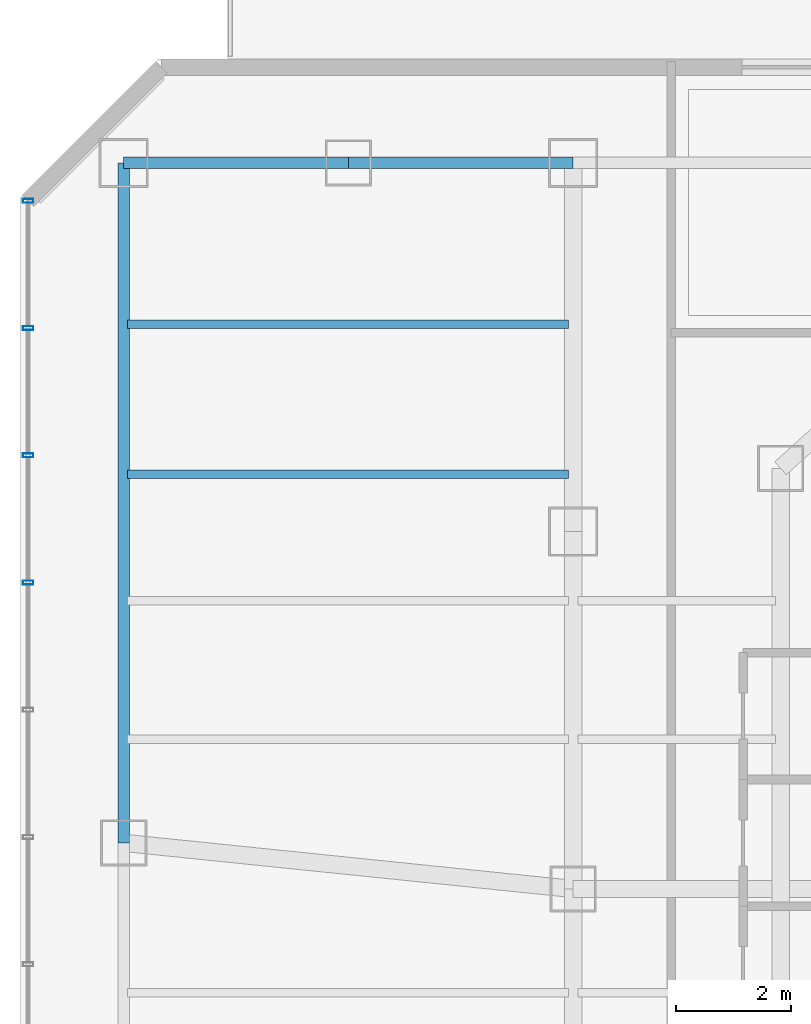
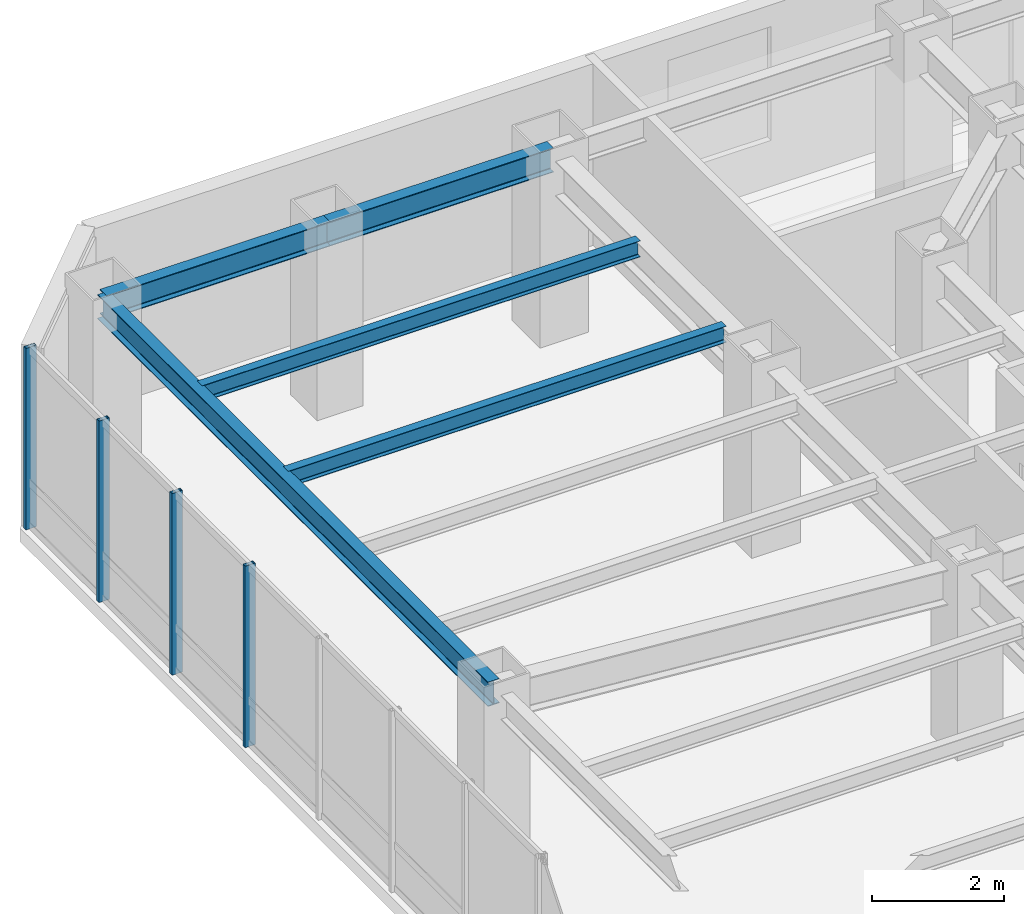
# One storey, part 17 of 26: 5 beams, 4 members, 1 element without a shape of its own.
"""IFC4 building model written with IfcOpenShell, lengths in metres."""

from ifc_helpers import new_model, si_unit, direction, frame, origin, origin_2d, place, context, subcontext, project, spatial, hollow_rectangle, i_section, extrude, material, layer, layer_set, material_profile, profile_set, type_object, element, aggregate, save


model = new_model("IFC4")

# Units and contexts
model_context = context("Model", 3, precision=1e-05, world=origin(), true_north=direction((0.0, 1.0)))
body_context = subcontext(model_context, "Body", "Model", "MODEL_VIEW")
ifc_project = project(units=[si_unit("LENGTHUNIT", "METRE"), si_unit("AREAUNIT", "SQUARE_METRE"), si_unit("VOLUMEUNIT", "CUBIC_METRE"), si_unit("PLANEANGLEUNIT", "RADIAN"), si_unit("MASSUNIT", "GRAM", prefix="KILO")], contexts=[model_context])

# Site, building, storey
site_placement = place(None, origin())
site = spatial("IfcSite", under=ifc_project, at=site_placement, CompositionType="ELEMENT")
building_placement = place(site_placement, origin())
building = spatial("IfcBuilding", under=site, at=building_placement, Name="Hatsunagi Terrace Concourse", CompositionType="ELEMENT")
storey_placement = place(building_placement, frame((0.0, 0.0, 152.85009765625)))
storey = spatial("IfcBuildingStorey", under=building, at=storey_placement, Name="L40", CompositionType="ELEMENT", Elevation=152.85009765625)

# Curtain wall, members
ifc_material_1 = material(Name="Anodised Aluminium Alloy 6063-T5", Category="aluminium")
ifc_layer = layer(ifc_material_1, 0.199951171875)
ifc_layer_set = layer_set([ifc_layer], Name="OfficeZone1_CW03")
curtain_wall_type = type_object("IfcCurtainWallType", Name="OfficeZone1_CW03", PredefinedType="NOTDEFINED", material=ifc_layer_set)
curtain_wall_placement = place(storey_placement, origin())
curtain_wall = element("IfcCurtainWall", 1, at=curtain_wall_placement, inside=storey, type_object=curtain_wall_type, Name="Unitised Curtain Wall CW-03 CW-L40-09", PredefinedType="NOTDEFINED")
ifc_material_2 = material(Name="Anodised Aluminium Alloy 6063-T5", Category="aluminium")
ifc_material_profile_1 = material_profile(ifc_material_2, hollow_rectangle(XDim=0.070068359375, YDim=0.179931640625, WallThickness=0.00390625, at=origin_2d()), Name="ALU-MUL-180x70x4")
ifc_profile_set_1 = profile_set([ifc_material_profile_1], Name="Anodised Aluminium Alloy 6063-T5")
member_type = type_object("IfcMemberType", Name="CurtainWallMullion_180x70", PredefinedType="MULLION", material=ifc_profile_set_1)
member_1_placement = place(storey_placement, frame((9.739990234375, 41.31689453125, 0.0), z_axis=(0.0, 0.0, 1.0), x_axis=(0.0, 1.0, 0.0)))
member_1 = element("IfcMember", 2, at=member_1_placement, type_object=member_type, Name="Curtain Wall Mullion MUL-02", PredefinedType="MULLION", context=body_context, shape_type="SweptSolid", body=[
    extrude(hollow_rectangle(XDim=0.070068359375, YDim=0.179931640625, WallThickness=0.00390625, at=origin_2d()), origin(), (0.0, 0.0, 1.0), 3.349853515625),
])
member_2_placement = place(storey_placement, frame((9.739990234375, 43.52490234375, 0.0), z_axis=(0.0, 0.0, 1.0), x_axis=(0.0, 1.0, 0.0)))
member_2 = element("IfcMember", 3, at=member_2_placement, type_object=member_type, Name="Curtain Wall Mullion MUL-02", PredefinedType="MULLION", context=body_context, shape_type="SweptSolid", body=[
    extrude(hollow_rectangle(XDim=0.070068359375, YDim=0.179931640625, WallThickness=0.00390625, at=origin_2d()), origin(), (0.0, 0.0, 1.0), 3.349853515625),
])
member_3_placement = place(storey_placement, frame((9.739990234375, 45.73388671875, 0.0), z_axis=(0.0, 0.0, 1.0), x_axis=(0.0, 1.0, 0.0)))
member_3 = element("IfcMember", 4, at=member_3_placement, type_object=member_type, Name="Curtain Wall Mullion MUL-02", PredefinedType="MULLION", context=body_context, shape_type="SweptSolid", body=[
    extrude(hollow_rectangle(XDim=0.070068359375, YDim=0.179931640625, WallThickness=0.00390625, at=origin_2d()), origin(), (0.0, 0.0, 1.0), 3.349853515625),
])
member_4_placement = place(storey_placement, frame((9.739990234375, 47.94189453125, 0.0), z_axis=(0.0, 0.0, 1.0), x_axis=(0.0, 1.0, 0.0)))
member_4 = element("IfcMember", 5, at=member_4_placement, type_object=member_type, Name="Curtain Wall Mullion MUL-02", PredefinedType="MULLION", context=body_context, shape_type="SweptSolid", body=[
    extrude(hollow_rectangle(XDim=0.070068359375, YDim=0.179931640625, WallThickness=0.00390625, at=origin_2d()), origin(), (0.0, 0.0, 1.0), 3.349853515625),
])
aggregate(curtain_wall, [member_1, member_2, member_3, member_4])

# Beams
ifc_material_3 = material(Name="Steel SN490B", Category="steel")
ifc_material_profile_2 = material_profile(ifc_material_3, i_section(OverallWidth=0.14990234375, OverallDepth=0.300048828125, WebThickness=0.006591796875, FlangeThickness=0.009033203125, FilletRadius=0.010986328125, at=origin_2d()), Name="H-300x150x6.5x9")
ifc_profile_set_2 = profile_set([ifc_material_profile_2], Name="Steel SN490B")
beam_type_1 = type_object("IfcBeamType", Name="OfficeJoist_H_300x150", PredefinedType="JOIST", material=ifc_profile_set_2)
for number, where, z_axis, x_axis, name in (
    (6, (11.465087890625, 43.199951171875, 3.199951171875), (1.0, 0.0, 0.0), (0.0, 1.0, 0.0), "Beam J-03 J-L40-W-11-432"),
    (7, (11.465087890625, 45.800048828125, 3.199951171875), (1.0, 0.0, 0.0), (0.0, 1.0, 0.0), "Beam J-03 J-L40-W-11-458"),
):
    element("IfcBeam", number, at=place(storey_placement, frame(where, z_axis=z_axis, x_axis=x_axis)), inside=storey, type_object=beam_type_1, Name=name, PredefinedType="JOIST", context=body_context, shape_type="SweptSolid", body=[
        extrude(i_section(OverallWidth=0.14990234375, OverallDepth=0.300048828125, WebThickness=0.006591796875, FlangeThickness=0.009033203125, FilletRadius=0.010986328125, at=origin_2d()), origin(), (0.0, 0.0, 1.0), 7.64990234375),
    ])
ifc_material_4 = material(Name="Steel SN490B", Category="steel")
ifc_material_profile_3 = material_profile(ifc_material_4, i_section(OverallWidth=0.199951171875, OverallDepth=0.449951171875, WebThickness=0.009033203125, FlangeThickness=0.013916015625, FilletRadius=0.01611328125, at=origin_2d()), Name="H-450x200x9x14")
ifc_profile_set_3 = profile_set([ifc_material_profile_3], Name="Steel SN490B")
beam_type_2 = type_object("IfcBeamType", Name="PerimeterSpandrel_H_450x200", PredefinedType="SPANDREL", material=ifc_profile_set_3)
beam_1_placement = place(storey_placement, frame((11.39990234375, 48.60009765625, 3.125), z_axis=(1.0, 0.0, 0.0), x_axis=(0.0, 1.0, 0.0)))
element("IfcBeam", 8, at=beam_1_placement, inside=storey, type_object=beam_type_2, Name="Beam SP-02 BM-L40-WN-11", PredefinedType="SPANDREL", context=body_context, shape_type="SweptSolid", body=[
    extrude(i_section(OverallWidth=0.199951171875, OverallDepth=0.449951171875, WebThickness=0.009033203125, FlangeThickness=0.013916015625, FilletRadius=0.01611328125, at=origin_2d()), origin(), (0.0, 0.0, 1.0), 3.900146484375),
])
beam_2_placement = place(storey_placement, frame((15.300048828125, 48.60009765625, 3.125), z_axis=(1.0, 0.0, 0.0), x_axis=(0.0, 1.0, 0.0)))
element("IfcBeam", 9, at=beam_2_placement, inside=storey, type_object=beam_type_2, Name="Beam SP-02 BM-L40-WN-15", PredefinedType="SPANDREL", context=body_context, shape_type="SweptSolid", body=[
    extrude(i_section(OverallWidth=0.199951171875, OverallDepth=0.449951171875, WebThickness=0.009033203125, FlangeThickness=0.013916015625, FilletRadius=0.01611328125, at=origin_2d()), origin(), (0.0, 0.0, 1.0), 3.89990234375),
])
beam_3_placement = place(storey_placement, frame((11.39990234375, 36.800048828125, 3.125), z_axis=(0.0, 1.0, 0.0), x_axis=(-1.0, 0.0, 0.0)))
element("IfcBeam", 10, at=beam_3_placement, inside=storey, type_object=beam_type_2, Name="Beam SP-02 BM-L40-NS-11-36", PredefinedType="SPANDREL", context=body_context, shape_type="SweptSolid", body=[
    extrude(i_section(OverallWidth=0.199951171875, OverallDepth=0.449951171875, WebThickness=0.009033203125, FlangeThickness=0.013916015625, FilletRadius=0.01611328125, at=origin_2d()), origin(), (0.0, 0.0, 1.0), 11.800048828125),
])

save(model, "model.ifc")
